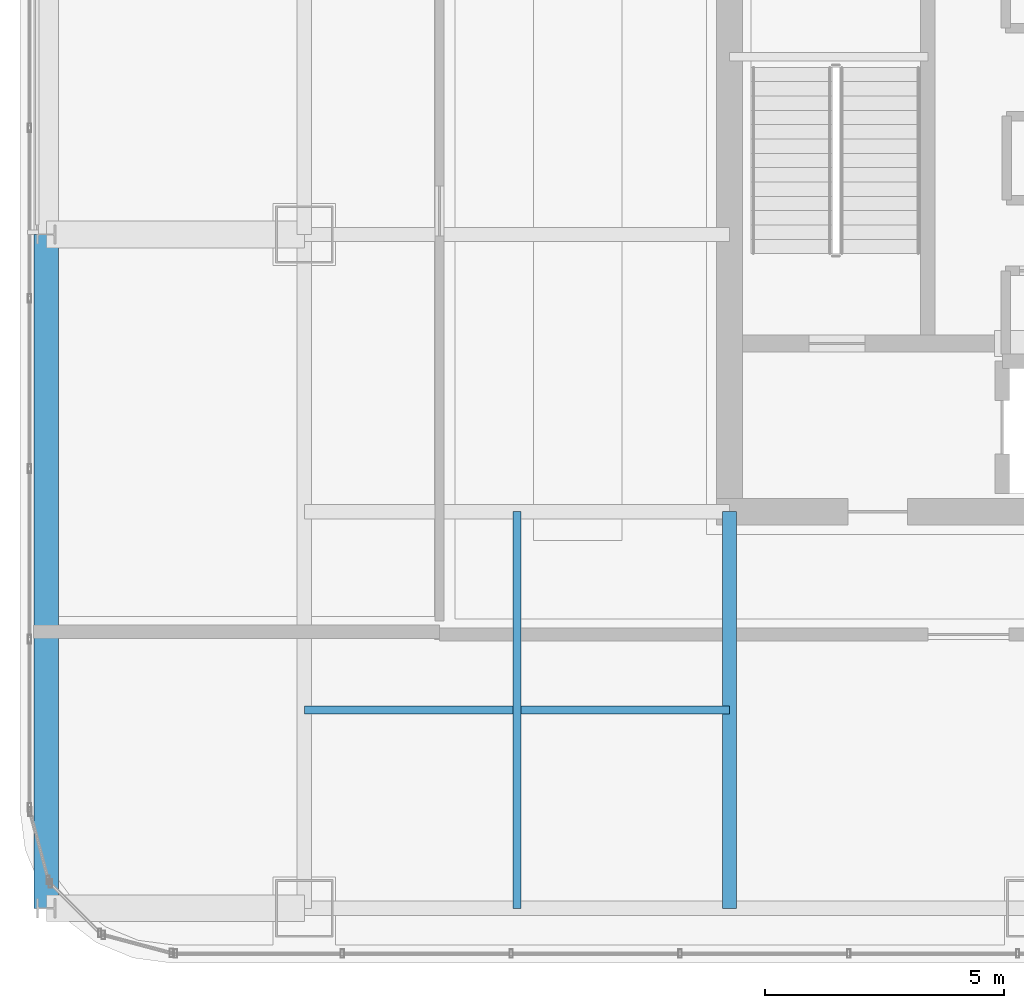
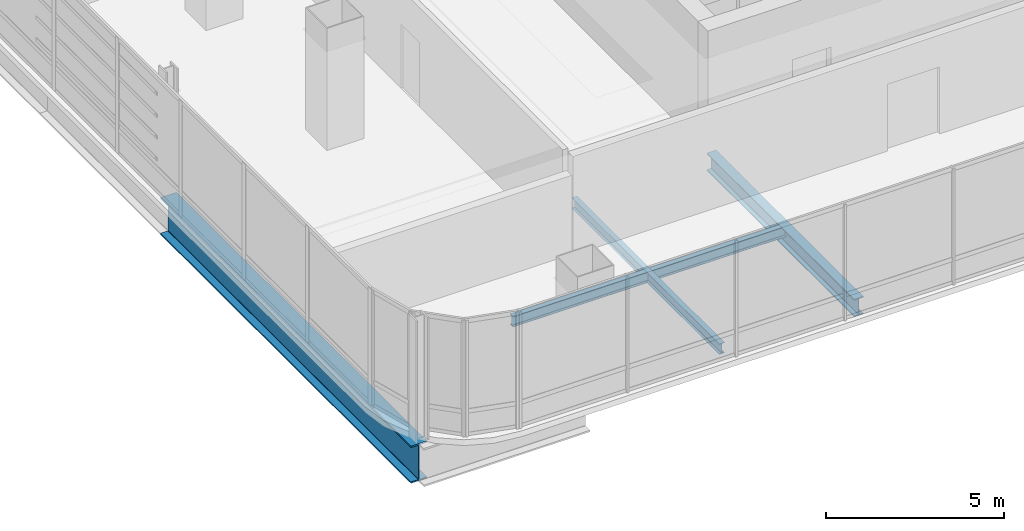
# One storey, part 4 of 42: 4 beams.
"""IFC4 building model written with IfcOpenShell, lengths in metres."""

from ifc_helpers import new_model, si_unit, direction, frame, origin, origin_2d, place, context, subcontext, project, spatial, i_section, extrude, material, material_profile, profile_set, type_object, element, save


model = new_model("IFC4")

# Units and contexts
model_context = context("Model", 3, precision=1e-05, world=origin(), true_north=direction((0.0, 1.0)))
body_context = subcontext(model_context, "Body", "Model", "MODEL_VIEW")
ifc_project = project(units=[si_unit("LENGTHUNIT", "METRE"), si_unit("AREAUNIT", "SQUARE_METRE"), si_unit("VOLUMEUNIT", "CUBIC_METRE"), si_unit("PLANEANGLEUNIT", "RADIAN"), si_unit("MASSUNIT", "GRAM", prefix="KILO")], contexts=[model_context])

# Site, building, storey
site_placement = place(None, origin())
site = spatial("IfcSite", under=ifc_project, at=site_placement, CompositionType="ELEMENT")
building_placement = place(site_placement, origin())
building = spatial("IfcBuilding", under=site, at=building_placement, Name="Punatoya Terracotta Tower", CompositionType="ELEMENT")
storey_placement = place(building_placement, frame((0.0, 0.0, 304.800048828125)))
storey = spatial("IfcBuildingStorey", under=building, at=storey_placement, Name="L72", CompositionType="ELEMENT", Elevation=304.800048828125)

# Beams
ifc_material_1 = material(Name="Steel S355", Category="steel")
ifc_material_profile_1 = material_profile(ifc_material_1, i_section(OverallWidth=0.300048828125, OverallDepth=0.60009765625, WebThickness=0.015380859375, FlangeThickness=0.030029296875, FilletRadius=0.01806640625, at=origin_2d()))
ifc_profile_set_1 = profile_set([ifc_material_profile_1], Name="Steel S355")
beam_type_1 = type_object("IfcBeamType", Name="BM-PRI-600", PredefinedType="BEAM", material=ifc_profile_set_1)
beam_1_placement = place(storey_placement, frame((-10.199951171875, -17.5, -0.5), z_axis=(0.0, 1.0, 0.0), x_axis=(-1.0, 0.0, 0.0)))
element("IfcBeam", 1, at=beam_1_placement, inside=storey, type_object=beam_type_1, Name="BM-L72-PR-S1", PredefinedType="BEAM", context=body_context, shape_type="SweptSolid", body=[
    extrude(i_section(OverallWidth=0.300048828125, OverallDepth=0.60009765625, WebThickness=0.015380859375, FlangeThickness=0.030029296875, FilletRadius=0.01806640625, at=origin_2d()), origin(), (0.0, 0.0, 1.0), 8.300048828125),
])
ifc_material_profile_2 = material_profile(ifc_material_1, i_section(OverallWidth=0.169921875, OverallDepth=0.360107421875, WebThickness=0.008056640625, FlangeThickness=0.0126953125, FilletRadius=0.01806640625, at=origin_2d()))
ifc_profile_set_2 = profile_set([ifc_material_profile_2], Name="Steel S355")
beam_type_2 = type_object("IfcBeamType", Name="BM-SEC-360", PredefinedType="JOIST", material=ifc_profile_set_2)
beam_2_placement = place(storey_placement, frame((-19.10009765625, -13.35009765625, -0.380126953125), z_axis=(1.0, 0.0, 0.0), x_axis=(0.0, 1.0, 0.0)))
element("IfcBeam", 2, at=beam_2_placement, inside=storey, type_object=beam_type_2, Name="BM-L72-SJS-1", PredefinedType="JOIST", context=body_context, shape_type="SweptSolid", body=[
    extrude(i_section(OverallWidth=0.169921875, OverallDepth=0.360107421875, WebThickness=0.008056640625, FlangeThickness=0.0126953125, FilletRadius=0.01806640625, at=origin_2d()), origin(), (0.0, 0.0, 1.0), 8.900146484375),
])
beam_3_placement = place(storey_placement, frame((-14.64990234375, -17.5, -0.380126953125), z_axis=(0.0, 1.0, 0.0), x_axis=(-1.0, 0.0, 0.0)))
element("IfcBeam", 3, at=beam_3_placement, inside=storey, type_object=beam_type_2, Name="BM-L72-SJW-1", PredefinedType="JOIST", context=body_context, shape_type="SweptSolid", body=[
    extrude(i_section(OverallWidth=0.169921875, OverallDepth=0.360107421875, WebThickness=0.008056640625, FlangeThickness=0.0126953125, FilletRadius=0.01806640625, at=origin_2d()), origin(), (0.0, 0.0, 1.0), 8.300048828125),
])
ifc_material_2 = material(Name="Steel S460", Category="steel")
ifc_material_profile_3 = material_profile(ifc_material_2, i_section(OverallWidth=0.52001953125, OverallDepth=1.280029296875, WebThickness=0.031982421875, FlangeThickness=0.050048828125, FilletRadius=0.01806640625, at=origin_2d()))
ifc_profile_set_3 = profile_set([ifc_material_profile_3], Name="Steel S460")
beam_type_3 = type_object("IfcBeamType", Name="BM-TG-NCK", PredefinedType="BEAM", material=ifc_profile_set_3)
beam_4_placement = place(storey_placement, frame((-24.5, -17.5, -0.840087890625), z_axis=(0.0, 1.0, 0.0), x_axis=(-1.0, 0.0, 0.0)))
element("IfcBeam", 4, at=beam_4_placement, inside=storey, type_object=beam_type_3, Name="BM-L72-PER-W1", PredefinedType="BEAM", context=body_context, shape_type="SweptSolid", body=[
    extrude(i_section(OverallWidth=0.52001953125, OverallDepth=1.280029296875, WebThickness=0.031982421875, FlangeThickness=0.050048828125, FilletRadius=0.01806640625, at=origin_2d()), origin(), (0.0, 0.0, 1.0), 14.10009765625),
])

save(model, "model.ifc")
